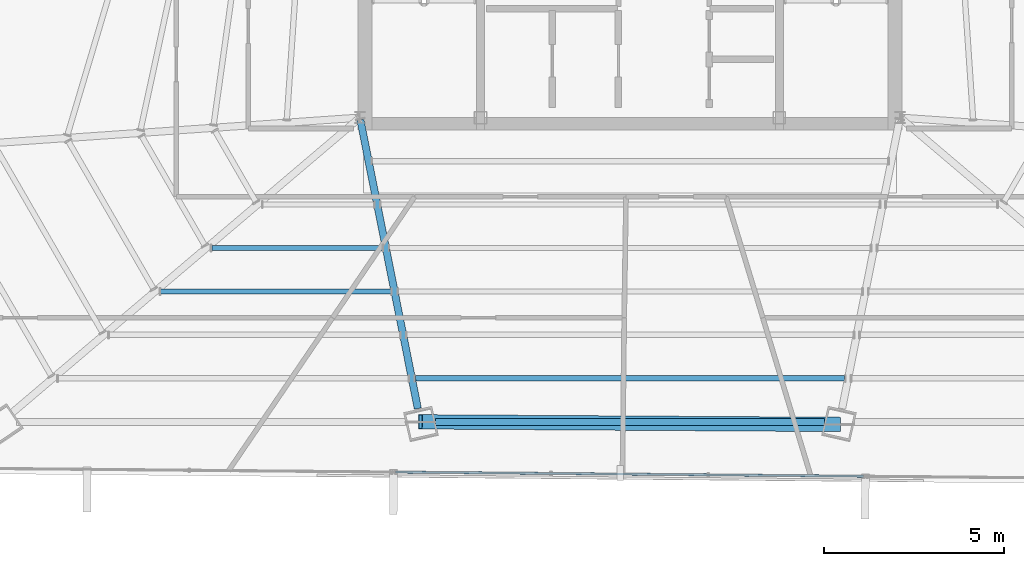
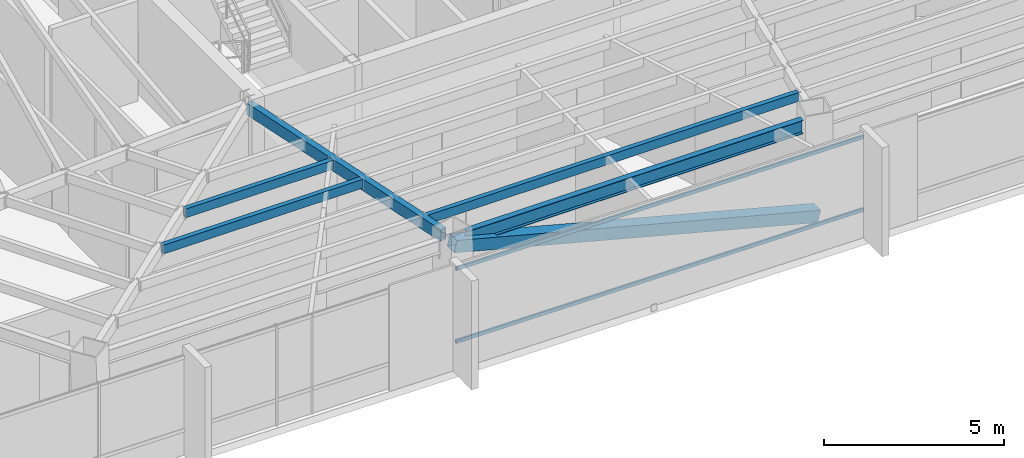
# One storey, part 12 of 49: 5 beams, 3 members, 1 element without a shape of its own.
"""IFC4 building model written with IfcOpenShell, lengths in metres."""

from ifc_helpers import new_model, si_unit, direction, frame, origin, origin_2d, place, context, subcontext, project, spatial, hollow_rectangle, i_section, extrude, source, transform, mapped, material, material_profile, profile_set, type_object, type_shapes, element, aggregate, save


model = new_model("IFC4")

# Units and contexts
model_context = context("Model", 3, precision=1e-05, world=origin(), true_north=direction((0.0, 1.0)))
body_context = subcontext(model_context, "Body", "Model", "MODEL_VIEW")
ifc_project = project(units=[si_unit("LENGTHUNIT", "METRE"), si_unit("AREAUNIT", "SQUARE_METRE"), si_unit("VOLUMEUNIT", "CUBIC_METRE"), si_unit("PLANEANGLEUNIT", "RADIAN"), si_unit("MASSUNIT", "GRAM", prefix="KILO")], contexts=[model_context])

# Site, building, storey
site_placement = place(None, origin())
site = spatial("IfcSite", under=ifc_project, at=site_placement, CompositionType="ELEMENT")
building_placement = place(site_placement, origin())
building = spatial("IfcBuilding", under=site, at=building_placement, Name="Caelisora Broadcast Tower", CompositionType="ELEMENT")
storey_placement = place(building_placement, frame((0.0, 0.0, 233.5)))
storey = spatial("IfcBuildingStorey", under=building, at=storey_placement, Name="L61", CompositionType="ELEMENT", Elevation=233.5)

# Beams
ifc_material_1 = material(Name="Steel Grade 350 (AS/NZS 3679.1)", Category="steel")
ifc_material_profile_1 = material_profile(ifc_material_1, i_section(OverallWidth=0.19091796875, OverallDepth=0.46044921875, WebThickness=0.010009765625, FlangeThickness=0.01611328125, at=origin_2d()), Name="Steel Grade 350 (AS/NZS 3679.1)")
ifc_profile_set_1 = profile_set([ifc_material_profile_1], Name="Steel Grade 350 (AS/NZS 3679.1)")
beam_type_1 = type_object("IfcBeamType", Name="PG06", PredefinedType="BEAM", material=ifc_profile_set_1)
shared_shape_1 = source(origin(), body_context, "Body", "SweptSolid", [
    extrude(i_section(OverallWidth=0.19091796875, OverallDepth=0.46044921875, WebThickness=0.010009765625, FlangeThickness=0.01611328125, at=origin_2d()), origin(), (0.0, 0.0, 1.0), 10.80419921875),
])
type_shapes(beam_type_1, [shared_shape_1])
beam_1_placement = place(storey_placement, frame((32.597900390625, 8.95068359375, 3.169921875), z_axis=(1.0, 0.0, 0.0), x_axis=(0.0, 1.0, 0.0)))
element("IfcBeam", 1, at=beam_1_placement, inside=storey, type_object=beam_type_1, Name="L61 beam PG06", PredefinedType="BEAM", context=body_context, shape_type="MappedRepresentation", body=[
    mapped(shared_shape_1, transform((0.0, 0.0, 0.0), scale=1.0)),
])
ifc_material_2 = material(Name="Steel Grade 350 (AS/NZS 1163 C350L0)", Category="steel")
ifc_material_profile_2 = material_profile(ifc_material_2, hollow_rectangle(XDim=0.199951171875, YDim=0.39990234375, WallThickness=0.012451171875, at=origin_2d()), Name="Steel Grade 350 (AS/NZS 1163 C350L0)")
ifc_profile_set_2 = profile_set([ifc_material_profile_2], Name="Steel Grade 350 (AS/NZS 1163 C350L0)")
beam_type_2 = type_object("IfcBeamType", Name="PG07", PredefinedType="BEAM", material=ifc_profile_set_2)
shared_shape_2 = source(origin(), body_context, "Body", "SweptSolid", [
    extrude(hollow_rectangle(XDim=0.199951171875, YDim=0.39990234375, WallThickness=0.012451171875, at=origin_2d()), origin(), (0.0, 0.0, 1.0), 8.179443359375),
])
type_shapes(beam_type_2, [shared_shape_2])
beam_2_placement = place(storey_placement, frame((30.51171875, 17.34130859375, 3.199951171875), z_axis=(0.195209116406, -0.980761643251, 0.0), x_axis=(0.980761643251, 0.195209116406, 0.0)))
element("IfcBeam", 2, at=beam_2_placement, inside=storey, type_object=beam_type_2, Name="L61 beam PG07", PredefinedType="BEAM", context=body_context, shape_type="MappedRepresentation", body=[
    mapped(shared_shape_2, transform((0.0, 0.0, 0.0), scale=1.0)),
])
ifc_material_profile_3 = material_profile(ifc_material_2, hollow_rectangle(XDim=0.14990234375, YDim=0.300048828125, WallThickness=0.010009765625, at=origin_2d()), Name="Steel Grade 350 (AS/NZS 1163 C350L0)")
ifc_profile_set_3 = profile_set([ifc_material_profile_3], Name="Steel Grade 350 (AS/NZS 1163 C350L0)")
beam_type_3 = type_object("IfcBeamType", Name="SB05", PredefinedType="JOIST", material=ifc_profile_set_3)
shared_shape_3 = source(origin(), body_context, "Body", "SweptSolid", [
    extrude(hollow_rectangle(XDim=0.14990234375, YDim=0.300048828125, WallThickness=0.010009765625, at=origin_2d()), origin(), (0.0, 0.0, 1.0), 4.736572265625),
])
beam_3_placement = place(storey_placement, frame((26.38525390625, 13.77880859375, 3.25), z_axis=(1.0, 0.0, 0.0), x_axis=(0.0, 1.0, 0.0)))
element("IfcBeam", 3, at=beam_3_placement, inside=storey, type_object=beam_type_3, Name="L61 beam SB05", PredefinedType="JOIST", context=body_context, shape_type="MappedRepresentation", body=[
    mapped(shared_shape_3, transform((0.0, 0.0, 0.0), scale=1.0)),
])
shared_shape_4 = source(origin(), body_context, "Body", "SweptSolid", [
    extrude(hollow_rectangle(XDim=0.14990234375, YDim=0.300048828125, WallThickness=0.010009765625, at=origin_2d()), origin(), (0.0, 0.0, 1.0), 6.39892578125),
])
beam_4_placement = place(storey_placement, frame((24.963134765625, 12.57177734375, 3.25), z_axis=(1.0, 0.0, 0.0), x_axis=(0.0, 1.0, 0.0)))
element("IfcBeam", 4, at=beam_4_placement, inside=storey, type_object=beam_type_3, Name="L61 beam SB05", PredefinedType="JOIST", context=body_context, shape_type="MappedRepresentation", body=[
    mapped(shared_shape_4, transform((0.0, 0.0, 0.0), scale=1.0)),
])
shared_shape_5 = source(origin(), body_context, "Body", "SweptSolid", [
    extrude(hollow_rectangle(XDim=0.14990234375, YDim=0.300048828125, WallThickness=0.010009765625, at=origin_2d()), origin(), (0.0, 0.0, 1.0), 11.9189453125),
])
type_shapes(beam_type_3, [shared_shape_3, shared_shape_4, shared_shape_5])
beam_5_placement = place(storey_placement, frame((32.04052734375, 10.15771484375, 3.25), z_axis=(1.0, 0.0, 0.0), x_axis=(0.0, 1.0, 0.0)))
element("IfcBeam", 5, at=beam_5_placement, inside=storey, type_object=beam_type_3, Name="L61 beam SB05", PredefinedType="JOIST", context=body_context, shape_type="MappedRepresentation", body=[
    mapped(shared_shape_5, transform((0.0, 0.0, 0.0), scale=1.0)),
])

# Member
ifc_material_3 = material(Name="Steel Grade 450 (AS/NZS 1163 C450L0)", Category="steel")
ifc_material_profile_4 = material_profile(ifc_material_3, hollow_rectangle(XDim=0.39990234375, YDim=0.39990234375, WallThickness=0.01611328125, at=origin_2d()), Name="Steel Grade 450 (AS/NZS 1163 C450L0)")
ifc_profile_set_4 = profile_set([ifc_material_profile_4], Name="Steel Grade 450 (AS/NZS 1163 C450L0)")
member_type_1 = type_object("IfcMemberType", Name="BR04", PredefinedType="BRACE", material=ifc_profile_set_4)
shared_shape_6 = source(origin(), body_context, "Body", "SweptSolid", [
    extrude(hollow_rectangle(XDim=0.39990234375, YDim=0.39990234375, WallThickness=0.01611328125, at=origin_2d()), origin(), (0.0, 0.0, 1.0), 12.001220703125),
])
type_shapes(member_type_1, [shared_shape_6])
member_1_placement = place(storey_placement, frame((32.181884765625, 8.95068359375, 3.10009765625), z_axis=(0.968233089097, -0.006021577779, -0.249976850485), x_axis=(0.006219020398, 0.999980661706, 0.0)))
element("IfcMember", 6, at=member_1_placement, inside=storey, type_object=member_type_1, Name="L61 perimeter brace BR04", PredefinedType="BRACE", context=body_context, shape_type="MappedRepresentation", body=[
    mapped(shared_shape_6, transform((0.0, 0.0, 0.0), scale=1.0)),
])

# Curtain wall, members
ifc_material_4 = material(Name="Unitised Aluminium Insulated Shadow-Box Spandrel Curtain Wall", Category="aluminium")
curtain_wall_type = type_object("IfcCurtainWallType", Name="CW-SP3", PredefinedType="NOTDEFINED", material=ifc_material_4)
curtain_wall_placement = place(storey_placement, origin())
curtain_wall = element("IfcCurtainWall", 7, at=curtain_wall_placement, inside=storey, type_object=curtain_wall_type, Name="L61 curtain wall CW-SP3", PredefinedType="NOTDEFINED")
ifc_material_5 = material(Name="Aluminium 6063-T6 Anodised Terracotta Bronze", Category="aluminium")
ifc_material_profile_5 = material_profile(ifc_material_5, hollow_rectangle(XDim=0.06005859375, YDim=0.1201171875, WallThickness=0.0029296875, at=origin_2d()), Name="Aluminium 6063-T6 Anodised Terracotta Bronze")
ifc_profile_set_5 = profile_set([ifc_material_profile_5], Name="Aluminium 6063-T6 Anodised Terracotta Bronze")
member_type_2 = type_object("IfcMemberType", Name="CWT-03", PredefinedType="USERDEFINED", material=ifc_profile_set_5)
shared_shape_7 = source(origin(), body_context, "Body", "SweptSolid", [
    extrude(hollow_rectangle(XDim=0.06005859375, YDim=0.1201171875, WallThickness=0.0029296875, at=origin_2d()), origin(), (0.0, 0.0, 1.0), 12.992919921875),
])
type_shapes(member_type_2, [shared_shape_7])
member_2_placement = place(storey_placement, frame((44.48388671875, 7.440185546875, 0.85009765625), z_axis=(-0.999960335675, 0.00890657495, 0.0), x_axis=(-0.00890657495, -0.999960335675, 0.0)))
member_2 = element("IfcMember", 8, at=member_2_placement, type_object=member_type_2, Name="L61-CW-B06 transom #1", ObjectType="TRANSOM", PredefinedType="USERDEFINED", context=body_context, shape_type="MappedRepresentation", body=[
    mapped(shared_shape_7, transform((0.0, 0.0, 0.0), scale=1.0)),
])
member_3_placement = place(storey_placement, frame((44.48388671875, 7.440185546875, 3.320068359375), z_axis=(-0.999960335675, 0.00890657495, 0.0), x_axis=(-0.00890657495, -0.999960335675, 0.0)))
member_3 = element("IfcMember", 9, at=member_3_placement, type_object=member_type_2, Name="L61-CW-B06 transom #2", ObjectType="TRANSOM", PredefinedType="USERDEFINED", context=body_context, shape_type="MappedRepresentation", body=[
    mapped(shared_shape_7, transform((0.0, 0.0, 0.0), scale=1.0)),
])
aggregate(curtain_wall, [member_2, member_3])

save(model, "model.ifc")
